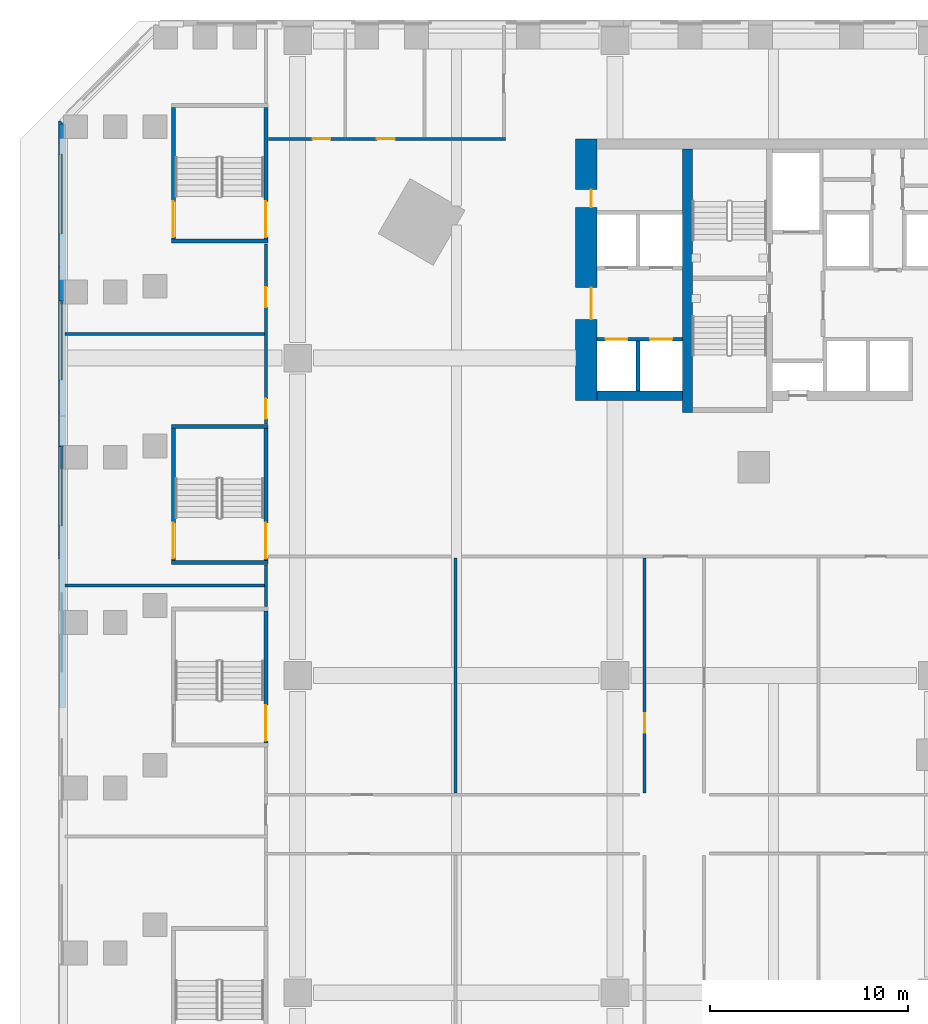
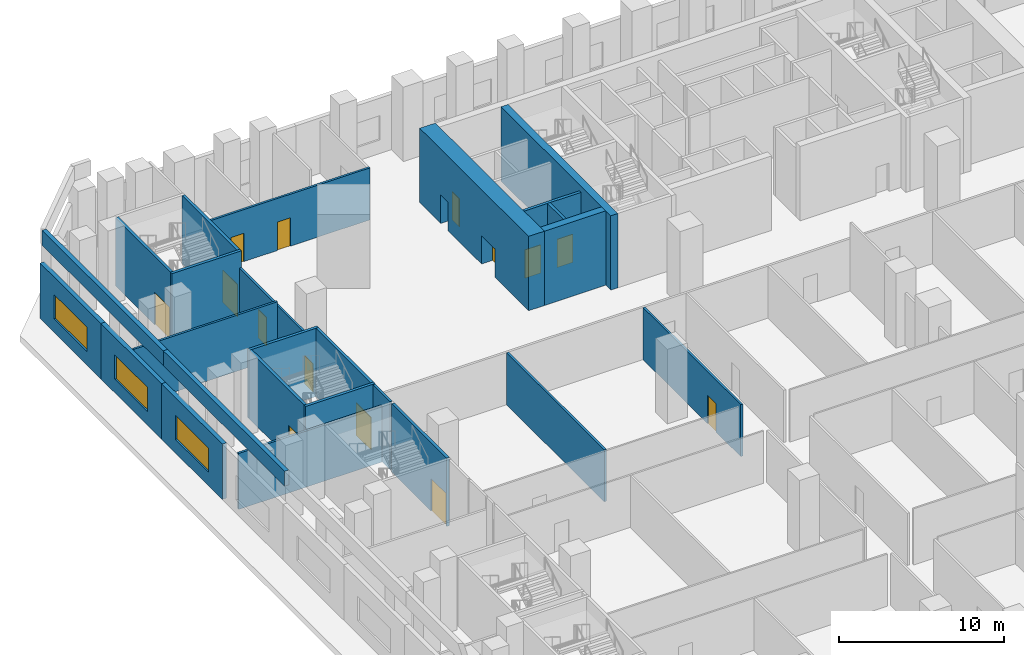
# One storey, part 6 of 22: 25 walls, 14 doors, 3 windows, 17 openings.
"""IFC4 building model written with IfcOpenShell, lengths in metres."""

import ifcopenshell
import ifcopenshell.guid

model = None  # the IFC model being written
_history = None  # IfcOwnerHistory: only IFC2X3 demands one
_inside = {}  # id of a spatial element -> (the spatial element, [elements in it])
_under = {}  # id of a project, library or spatial element -> (it, [spatial elements below it])
_declared = {}  # id of a project -> (the project, [libraries it declares])
_typed = {}  # id of a type object -> (the type object, [elements of that type])
_made_of = {}  # id of a material, layer set ... -> (it, [elements and type objects made of it])


def new_model(schema):
    """Start an empty IFC model of exactly this schema.

    Asked for "IFC4X3", IfcOpenShell would pick the latest addendum, in which some entities
    have other attributes; the version numbers below select the first issue.
    IFC2X3 requires an IfcOwnerHistory on every rooted entity: one is made here for all.
    """
    global model, _history
    if schema == "IFC4X3":
        model = ifcopenshell.file(schema_version=(4, 3, 0, 0))
    else:
        model = ifcopenshell.file(schema=schema)
    _inside.clear()
    _under.clear()
    _declared.clear()
    _typed.clear()
    _made_of.clear()
    _history = None
    if model.schema == "IFC2X3":
        org = make("IfcOrganization", Name="unknown")
        user = make(
            "IfcPersonAndOrganization",
            ThePerson=make("IfcPerson", FamilyName="unknown"),
            TheOrganization=org,
        )
        app = make(
            "IfcApplication",
            ApplicationDeveloper=org,
            Version="unknown",
            ApplicationFullName="unknown",
            ApplicationIdentifier="unknown",
        )
        _history = make(
            "IfcOwnerHistory",
            OwningUser=user,
            OwningApplication=app,
            ChangeAction="ADDED",
            CreationDate=0,
        )
    return model


def make(cls, **values):
    """One entity of the class cls with the attributes given. An attribute that is None is left unset."""
    return model.create_entity(
        cls, **{name: value for name, value in values.items() if value is not None}
    )


def rooted(cls, **values):
    """An entity with a GlobalId (a new one), such as an element, a storey or a relation."""
    return make(cls, GlobalId=ifcopenshell.guid.new(), OwnerHistory=_history, **values)


def si_unit(unit_type, name, prefix=None):
    """IfcSIUnit, for example si_unit("LENGTHUNIT", "METRE", prefix="MILLI")."""
    return make("IfcSIUnit", UnitType=unit_type, Prefix=prefix, Name=name)


def assignment(units):
    """IfcUnitAssignment: the units of a project."""
    return None if units is None else make("IfcUnitAssignment", Units=units)


def point(xyz):
    """IfcCartesianPoint."""
    return None if xyz is None else make("IfcCartesianPoint", Coordinates=xyz)


def direction(xyz):
    """IfcDirection."""
    return None if xyz is None else make("IfcDirection", DirectionRatios=xyz)


def frame(location, z_axis=None, x_axis=None):
    """IfcAxis2Placement3D, a coordinate frame: its origin and axes. An axis left out is left unset."""
    return make(
        "IfcAxis2Placement3D",
        Location=point(location),
        Axis=direction(z_axis),
        RefDirection=direction(x_axis),
    )


def frame_2d(location, x_axis=None):
    """IfcAxis2Placement2D, a coordinate frame in the plane: its origin and x axis."""
    return make(
        "IfcAxis2Placement2D", Location=point(location), RefDirection=direction(x_axis)
    )


def origin():
    """The frame at (0, 0, 0) with its axes left unset."""
    return frame((0.0, 0.0, 0.0))


def place(relative_to, where):
    """IfcLocalPlacement: puts the frame where relative to a parent placement (None: the world)."""
    return make(
        "IfcLocalPlacement", PlacementRelTo=relative_to, RelativePlacement=where
    )


def context(
    kind, dimensions, precision=None, world=None, true_north=None, identifier=None
):
    """IfcGeometricRepresentationContext, for example the 3D "Model" context."""
    return make(
        "IfcGeometricRepresentationContext",
        ContextIdentifier=identifier,
        ContextType=kind,
        CoordinateSpaceDimension=dimensions,
        Precision=precision,
        WorldCoordinateSystem=world,
        TrueNorth=true_north,
    )


def subcontext(parent, identifier, kind, view, scale=None):
    """IfcGeometricRepresentationSubContext, for example "Body" below "Model"."""
    return make(
        "IfcGeometricRepresentationSubContext",
        ContextIdentifier=identifier,
        ContextType=kind,
        ParentContext=parent,
        TargetScale=scale,
        TargetView=view,
    )


def project(units=None, contexts=None):
    """IfcProject with its units and contexts."""
    return rooted(
        "IfcProject",
        Name="project",
        RepresentationContexts=contexts,
        UnitsInContext=assignment(units),
    )


def spatial(cls, under=None, at=None, **own):
    """A site, building, storey or space (cls), placed at a placement, below another one or the project."""
    s = rooted(cls, ObjectPlacement=at, **own)
    if under is not None:
        _under.setdefault(under.id(), (under, []))[1].append(s)
    return s


def profile(cls, at=None, kind="AREA", **sizes):
    """A parametric profile (cls). Its sizes go by their IFC names, for example OverallWidth=200.0."""
    return make(cls, ProfileType=kind, Position=at, **sizes)


def rectangle(**sizes):
    """IfcRectangleProfileDef."""
    return profile("IfcRectangleProfileDef", **sizes)


def extrude(swept, where, along, depth):
    """IfcExtrudedAreaSolid: the profile swept, set in the frame where, extruded along a direction by depth."""
    return make(
        "IfcExtrudedAreaSolid",
        SweptArea=swept,
        Position=where,
        ExtrudedDirection=direction(along),
        Depth=depth,
    )


def shape(context_of_items, identifier, shape_type, items):
    """IfcShapeRepresentation: the items that make up one representation, for example the "Body"."""
    return make(
        "IfcShapeRepresentation",
        ContextOfItems=context_of_items,
        RepresentationIdentifier=identifier,
        RepresentationType=shape_type,
        Items=items,
    )


def material(Name=None, Category=None):
    """IfcMaterial."""
    return make("IfcMaterial", Name=Name, Category=Category)


def layer(
    of_material, thickness, ventilated=None, Name=None, Category=None, Priority=None
):
    """IfcMaterialLayer: one layer of a wall or slab, of a material (None: an air gap)."""
    return make(
        "IfcMaterialLayer",
        Material=of_material,
        LayerThickness=thickness,
        IsVentilated=ventilated,
        Name=Name,
        Category=Category,
        Priority=Priority,
    )


def layer_set(layers, Name=None):
    """IfcMaterialLayerSet."""
    return make("IfcMaterialLayerSet", MaterialLayers=layers, LayerSetName=Name)


def made_of(thing, what):
    """Note that an element or type object is made of a material, layer set ...; save() writes the relation."""
    if what is not None:
        _made_of.setdefault(what.id(), (what, []))[1].append(thing)
    return thing


def type_object(cls, material=None, **own):
    """A type object (cls), such as IfcWallType, which elements share."""
    return made_of(rooted(cls, **own), material)


def element(
    cls,
    number,
    at=None,
    inside=None,
    cuts=None,
    type_object=None,
    material=None,
    context=None,
    identifier="Body",
    shape_type=None,
    held_by="IfcProductDefinitionShape",
    body=None,
    shapes=None,
    **own,
):
    """One element of the class cls, such as IfcWall. Its Tag is "e" and its number.

    at: its placement. inside: the storey or other place that contains it. cuts: it is an
    opening in that element (IfcRelVoidsElement). A single representation is given by context,
    identifier, shape_type and body (its items); several are given by shapes. held_by: the class
    of the entity that holds the representations. save() writes the other relations.
    """
    e = rooted(cls, Tag="e%d" % number, ObjectPlacement=at, **own)
    if body is not None:
        shapes = [shape(context, identifier, shape_type, body)]
    if shapes is not None:
        e.Representation = make(held_by, Representations=shapes)
    if inside is not None:
        _inside.setdefault(inside.id(), (inside, []))[1].append(e)
    if cuts is not None:
        rooted(
            "IfcRelVoidsElement", RelatingBuildingElement=cuts, RelatedOpeningElement=e
        )
    if type_object is not None:
        _typed.setdefault(type_object.id(), (type_object, []))[1].append(e)
    return made_of(e, material)


def fill(opening, filler):
    """IfcRelFillsElement: the door or window that sits in an opening."""
    return rooted(
        "IfcRelFillsElement",
        RelatingOpeningElement=opening,
        RelatedBuildingElement=filler,
    )


def aggregate(whole, parts):
    """IfcRelAggregates: a whole, such as a stair, and the parts it consists of."""
    return rooted("IfcRelAggregates", RelatingObject=whole, RelatedObjects=parts)


def save(model, path):
    """Write the relations noted so far, then the file.

    IfcRelAggregates (storeys below a building ...), IfcRelContainedInSpatialStructure (elements
    in a storey), IfcRelDefinesByType, IfcRelAssociatesMaterial and IfcRelDeclares: one each for
    every whole, place, type object, material and project.
    """
    for whole, parts in _under.values():
        aggregate(whole, parts)
    for where, things in _inside.values():
        rooted(
            "IfcRelContainedInSpatialStructure",
            RelatedElements=things,
            RelatingStructure=where,
        )
    for kind, things in _typed.values():
        rooted("IfcRelDefinesByType", RelatedObjects=things, RelatingType=kind)
    for what, things in _made_of.values():
        rooted("IfcRelAssociatesMaterial", RelatedObjects=things, RelatingMaterial=what)
    for by, libraries in _declared.values():
        rooted("IfcRelDeclares", RelatingContext=by, RelatedDefinitions=libraries)
    model.write(path)


model = new_model("IFC4")

# Units and contexts
model_context = context("Model", 3, precision=1e-05, world=origin(), true_north=direction((0.0, 1.0)))
body_context = subcontext(model_context, "Body", "Model", "MODEL_VIEW")
ifc_project = project(units=[si_unit("LENGTHUNIT", "METRE"), si_unit("AREAUNIT", "SQUARE_METRE"), si_unit("VOLUMEUNIT", "CUBIC_METRE"), si_unit("PLANEANGLEUNIT", "RADIAN"), si_unit("MASSUNIT", "GRAM", prefix="KILO")], contexts=[model_context])

# Site, building, storey
site_placement = place(None, origin())
site = spatial("IfcSite", under=ifc_project, at=site_placement, CompositionType="ELEMENT")
building_placement = place(site_placement, origin())
building = spatial("IfcBuilding", under=site, at=building_placement, Name="Calabash Gate Tower", CompositionType="ELEMENT")
storey_placement = place(building_placement, frame((0.0, 0.0, 29.0)))
storey = spatial("IfcBuildingStorey", under=building, at=storey_placement, Name="L03", CompositionType="ELEMENT", Elevation=29.0)

# Wall, openings, doors
ifc_material_1 = material(Name="Concrete C80/95", Category="concrete")
ifc_layer_1 = layer(ifc_material_1, 1.10009765625)
ifc_layer_set_1 = layer_set([ifc_layer_1], Name="Core wall 1100 Concrete C80/95")
wall_type_1 = type_object("IfcWallType", Name="Core wall 1100 Concrete C80/95", PredefinedType="SHEAR", material=ifc_layer_set_1)
wall_1_placement = place(storey_placement, frame((-17.449951171875, 5.8525390625, 0.0), z_axis=(0.0, 0.0, 1.0), x_axis=(0.0, 1.0, 0.0)))
wall_1 = element("IfcWall", 1, at=wall_1_placement, inside=storey, type_object=wall_type_1, Name="Core wall Z0-ENDW L03", PredefinedType="SHEAR", context=body_context, shape_type="SweptSolid", body=[
    extrude(rectangle(XDim=13.199951171875, YDim=1.10009765625, at=frame_2d((6.60009765625, 0.0))), origin(), (0.0, 0.0, 1.0), 5.5),
])
opening_1_placement = place(wall_1_placement, frame((4.10009765625, 0.0, 0.0)))
opening_1 = element("IfcOpeningElement", 2, at=opening_1_placement, cuts=wall_1, Name="Opening L03-014", PredefinedType="OPENING", context=body_context, shape_type="SweptSolid", body=[
    extrude(rectangle(XDim=1.60009765625, YDim=2.10009765625, at=frame_2d((0.800048828125, 1.050048828125))), frame((0.0, 0.56005859375, 0.0), z_axis=(0.0, -1.0, 0.0), x_axis=(1.0, 0.0, 0.0)), (0.0, 0.0, 1.0), 1.1201171875),
])
opening_2_placement = place(wall_1_placement, frame((9.75, 0.0, 0.0)))
opening_2 = element("IfcOpeningElement", 3, at=opening_2_placement, cuts=wall_1, Name="Opening L03-015", PredefinedType="OPENING", context=body_context, shape_type="SweptSolid", body=[
    extrude(rectangle(XDim=0.89990234375, YDim=2.10009765625, at=frame_2d((0.449951171875, 1.050048828125))), frame((0.0, 0.56005859375, 0.0), z_axis=(0.0, -1.0, 0.0), x_axis=(1.0, 0.0, 0.0)), (0.0, 0.0, 1.0), 1.1201171875),
])
ifc_material_2 = material(Name="Steel fire door set with fire-resisting glazing", Category="steel")
door_type_1 = type_object("IfcDoorType", Name="Double fire door D08 1600x2100 FD60", OperationType="DOUBLE_DOOR_SINGLE_SWING", PredefinedType="DOOR", material=ifc_material_2)
door_1_placement = place(opening_1_placement, origin())
door_1 = element("IfcDoor", 4, at=door_1_placement, inside=storey, type_object=door_type_1, Name="Low-rise Lift Lobby W door", OperationType="DOUBLE_DOOR_SINGLE_SWING", OverallHeight=2.10009765625, OverallWidth=1.60009765625, PredefinedType="DOOR", context=body_context, shape_type="SweptSolid", body=[
    extrude(rectangle(XDim=1.60009765625, YDim=2.10009765625, at=frame_2d((0.800048828125, 1.050048828125))), frame((0.0, -0.22509765625, 0.0), z_axis=(0.0, -1.0, 0.0), x_axis=(1.0, 0.0, 0.0)), (0.0, 0.0, 1.0), 0.050048828125),
])
fill(opening_1, door_1)
ifc_material_3 = material(Name="Steel fire door set with fire-resisting glazing", Category="steel")
door_type_2 = type_object("IfcDoorType", Name="Fire door D06 900x2100 FD60", OperationType="NOTDEFINED", PredefinedType="DOOR", material=ifc_material_3)
door_2_placement = place(opening_2_placement, origin())
door_2 = element("IfcDoor", 5, at=door_2_placement, inside=storey, type_object=door_type_2, Name="Staff WC door", OperationType="SINGLE_SWING_RIGHT", OverallHeight=2.10009765625, OverallWidth=0.89990234375, PredefinedType="DOOR", context=body_context, shape_type="SweptSolid", body=[
    extrude(rectangle(XDim=0.89990234375, YDim=2.10009765625, at=frame_2d((0.449951171875, 1.050048828125))), frame((0.0, -0.22509765625, 0.0), z_axis=(0.0, -1.0, 0.0), x_axis=(1.0, 0.0, 0.0)), (0.0, 0.0, 1.0), 0.050048828125),
])
fill(opening_2, door_2)

# Walls
ifc_material_4 = material(Name="Concrete C80/95", Category="concrete")
ifc_layer_2 = layer(ifc_material_4, 0.5)
ifc_layer_set_2 = layer_set([ifc_layer_2], Name="Core wall 500 Concrete C80/95")
wall_type_2 = type_object("IfcWallType", Name="Core wall 500 Concrete C80/95", PredefinedType="SHEAR", material=ifc_layer_set_2)
wall_2_placement = place(storey_placement, frame((-12.35009765625, 5.252685546875, 0.0), z_axis=(0.0, 0.0, 1.0), x_axis=(0.0, 1.0, 0.0)))
element("IfcWall", 6, at=wall_2_placement, inside=storey, type_object=wall_type_2, Name="Core wall Z0-COLW L03", PredefinedType="SHEAR", context=body_context, shape_type="SweptSolid", body=[
    extrude(rectangle(XDim=13.2998046875, YDim=0.5, at=frame_2d((6.64990234375, 0.0))), origin(), (0.0, 0.0, 1.0), 5.5),
])
wall_3_placement = place(storey_placement, frame((-12.60009765625, 6.1025390625, 0.0), z_axis=(0.0, 0.0, 1.0), x_axis=(-1.0, 0.0, 0.0)))
element("IfcWall", 7, at=wall_3_placement, inside=storey, type_object=wall_type_2, Name="Core wall Z0-SW L03", PredefinedType="SHEAR", context=body_context, shape_type="SweptSolid", body=[
    extrude(rectangle(XDim=4.2998046875, YDim=0.5, at=frame_2d((2.14990234375, 0.0))), origin(), (0.0, 0.0, 1.0), 5.5),
])
ifc_material_5 = material(Name="Gypsum board on steel studs, mineral wool", Category="steel")
ifc_layer_3 = layer(ifc_material_5, 0.14990234375)
ifc_layer_set_3 = layer_set([ifc_layer_3], Name="Partition 150 gypsum board")
wall_type_3 = type_object("IfcWallType", Name="Partition 150 gypsum board", PredefinedType="PARTITIONING", material=ifc_layer_set_3)
wall_4_placement = place(storey_placement, frame((-24.050048828125, -13.925048828125, 0.0), z_axis=(0.0, 0.0, 1.0), x_axis=(0.0, 1.0, 0.0)))
element("IfcWall", 8, at=wall_4_placement, inside=storey, type_object=wall_type_3, Name="Partition", PredefinedType="PARTITIONING", context=body_context, shape_type="SweptSolid", body=[
    extrude(rectangle(XDim=11.85009765625, YDim=0.14990234375, at=frame_2d((5.925048828125, 0.0))), origin(), (0.0, 0.0, 1.0), 3.85009765625),
])

# Wall, opening, door
wall_5_placement = place(storey_placement, frame((-14.5, -13.925048828125, 0.0), z_axis=(0.0, 0.0, 1.0), x_axis=(0.0, 1.0, 0.0)))
wall_5 = element("IfcWall", 9, at=wall_5_placement, inside=storey, type_object=wall_type_3, Name="Partition", PredefinedType="PARTITIONING", context=body_context, shape_type="SweptSolid", body=[
    extrude(rectangle(XDim=11.85009765625, YDim=0.14990234375, at=frame_2d((5.925048828125, 0.0))), origin(), (0.0, 0.0, 1.0), 3.85009765625),
])
opening_3_placement = place(wall_5_placement, frame((3.02490234375, 0.0, 0.0)))
opening_3 = element("IfcOpeningElement", 10, at=opening_3_placement, cuts=wall_5, Name="Opening L03-047", PredefinedType="OPENING", context=body_context, shape_type="SweptSolid", body=[
    extrude(rectangle(XDim=1.0, YDim=2.10009765625, at=frame_2d((0.5, 1.050048828125))), frame((0.0, 0.0849609375, 0.0), z_axis=(0.0, -1.0, 0.0), x_axis=(1.0, 0.0, 0.0)), (0.0, 0.0, 1.0), 0.169921875),
])
ifc_material_6 = material(Name="Steel fire door set with fire-resisting glazing", Category="steel")
door_type_3 = type_object("IfcDoorType", Name="Fire door D11 1000x2100 FD60", OperationType="NOTDEFINED", PredefinedType="DOOR", material=ifc_material_6)
door_3_placement = place(opening_3_placement, origin())
door_3 = element("IfcDoor", 11, at=door_3_placement, inside=storey, type_object=door_type_3, Name="Meeting Room 302 door", OperationType="SINGLE_SWING_LEFT", OverallHeight=2.10009765625, OverallWidth=1.0, PredefinedType="DOOR", context=body_context, shape_type="SweptSolid", body=[
    extrude(rectangle(XDim=1.0, YDim=2.10009765625, at=frame_2d((0.5, 1.050048828125))), frame((0.0, 0.02490234375, 0.0), z_axis=(0.0, -1.0, 0.0), x_axis=(1.0, 0.0, 0.0)), (0.0, 0.0, 1.0), 0.050048828125),
])
fill(opening_3, door_3)

# Walls
wall_6_placement = place(storey_placement, frame((-33.60009765625, -4.510009765625, 0.0), z_axis=(0.0, 0.0, 1.0), x_axis=(0.0, 1.0, 0.0)))
element("IfcWall", 12, at=wall_6_placement, inside=storey, type_object=wall_type_3, Name="Partition", PredefinedType="PARTITIONING", context=body_context, shape_type="SweptSolid", body=[
    extrude(rectangle(XDim=2.070068359375, YDim=0.14990234375, at=frame_2d((1.03515625, 0.0))), origin(), (0.0, 0.0, 1.0), 5.050048828125),
])
wall_7_placement = place(storey_placement, frame((-43.719970703125, -3.47509765625, 0.0), z_axis=(0.0, 0.0, 1.0), x_axis=(1.0, 0.0, 0.0)))
element("IfcWall", 13, at=wall_7_placement, inside=storey, type_object=wall_type_3, Name="Partition", PredefinedType="PARTITIONING", context=body_context, shape_type="SweptSolid", body=[
    extrude(rectangle(XDim=10.044921875, YDim=0.14990234375, at=frame_2d((5.0224609375, 0.0))), origin(), (0.0, 0.0, 1.0), 4.14990234375),
])

# Wall, openings, doors
wall_8_placement = place(storey_placement, frame((-33.60009765625, 4.68994140625, 0.0), z_axis=(0.0, 0.0, 1.0), x_axis=(0.0, 1.0, 0.0)))
wall_8 = element("IfcWall", 14, at=wall_8_placement, inside=storey, type_object=wall_type_3, Name="Partition", PredefinedType="PARTITIONING", context=body_context, shape_type="SweptSolid", body=[
    extrude(rectangle(XDim=9.070068359375, YDim=0.14990234375, at=frame_2d((4.53515625, 0.0))), origin(), (0.0, 0.0, 1.0), 3.85009765625),
])
opening_4_placement = place(wall_8_placement, frame((0.260986328125, 0.0, 0.0)))
opening_4 = element("IfcOpeningElement", 15, at=opening_4_placement, cuts=wall_8, Name="Opening L03-071", PredefinedType="OPENING", context=body_context, shape_type="SweptSolid", body=[
    extrude(rectangle(XDim=1.0, YDim=2.10009765625, at=frame_2d((0.5, 1.050048828125))), frame((0.0, 0.0849609375, 0.0), z_axis=(0.0, -1.0, 0.0), x_axis=(1.0, 0.0, 0.0)), (0.0, 0.0, 1.0), 0.169921875),
])
opening_5_placement = place(wall_8_placement, frame((5.885009765625, 0.0, 0.0)))
opening_5 = element("IfcOpeningElement", 16, at=opening_5_placement, cuts=wall_8, Name="Opening L03-072", PredefinedType="OPENING", context=body_context, shape_type="SweptSolid", body=[
    extrude(rectangle(XDim=1.0, YDim=2.10009765625, at=frame_2d((0.5, 1.050048828125))), frame((0.0, 0.0849609375, 0.0), z_axis=(0.0, -1.0, 0.0), x_axis=(1.0, 0.0, 0.0)), (0.0, 0.0, 1.0), 0.169921875),
])
door_4_placement = place(opening_4_placement, origin())
door_4 = element("IfcDoor", 17, at=door_4_placement, inside=storey, type_object=door_type_3, Name="Interpreters' Room door", OperationType="SINGLE_SWING_LEFT", OverallHeight=2.10009765625, OverallWidth=1.0, PredefinedType="DOOR", context=body_context, shape_type="SweptSolid", body=[
    extrude(rectangle(XDim=1.0, YDim=2.10009765625, at=frame_2d((0.5, 1.050048828125))), frame((0.0, 0.02490234375, 0.0), z_axis=(0.0, -1.0, 0.0), x_axis=(1.0, 0.0, 0.0)), (0.0, 0.0, 1.0), 0.050048828125),
])
fill(opening_4, door_4)
door_5_placement = place(opening_5_placement, origin())
door_5 = element("IfcDoor", 18, at=door_5_placement, inside=storey, type_object=door_type_3, Name="Meeting Room 323 door", OperationType="SINGLE_SWING_LEFT", OverallHeight=2.10009765625, OverallWidth=1.0, PredefinedType="DOOR", context=body_context, shape_type="SweptSolid", body=[
    extrude(rectangle(XDim=1.0, YDim=2.10009765625, at=frame_2d((0.5, 1.050048828125))), frame((0.0, 0.02490234375, 0.0), z_axis=(0.0, -1.0, 0.0), x_axis=(1.0, 0.0, 0.0)), (0.0, 0.0, 1.0), 0.050048828125),
])
fill(opening_5, door_5)

# Wall
wall_9_placement = place(storey_placement, frame((-43.719970703125, 9.22509765625, 0.0), z_axis=(0.0, 0.0, 1.0), x_axis=(1.0, 0.0, 0.0)))
element("IfcWall", 19, at=wall_9_placement, inside=storey, type_object=wall_type_3, Name="Partition", PredefinedType="PARTITIONING", context=body_context, shape_type="SweptSolid", body=[
    extrude(rectangle(XDim=10.044921875, YDim=0.14990234375, at=frame_2d((5.0224609375, 0.0))), origin(), (0.0, 0.0, 1.0), 4.14990234375),
])

# Wall, openings, doors
wall_10_placement = place(storey_placement, frame((-33.4599609375, 19.050048828125, 0.0), z_axis=(0.0, 0.0, 1.0), x_axis=(1.0, 0.0, 0.0)))
wall_10 = element("IfcWall", 20, at=wall_10_placement, inside=storey, type_object=wall_type_3, Name="Partition", PredefinedType="PARTITIONING", context=body_context, shape_type="SweptSolid", body=[
    extrude(rectangle(XDim=11.93505859375, YDim=0.14990234375, at=frame_2d((5.967529296875, 0.0))), origin(), (0.0, 0.0, 1.0), 3.85009765625),
])
opening_6_placement = place(wall_10_placement, frame((2.2109375, 0.0, 0.0)))
opening_6 = element("IfcOpeningElement", 21, at=opening_6_placement, cuts=wall_10, Name="Opening L03-038", PredefinedType="OPENING", context=body_context, shape_type="SweptSolid", body=[
    extrude(rectangle(XDim=0.89990234375, YDim=2.10009765625, at=frame_2d((0.449951171875, 1.050048828125))), frame((0.0, 0.0849609375, 0.0), z_axis=(0.0, -1.0, 0.0), x_axis=(1.0, 0.0, 0.0)), (0.0, 0.0, 1.0), 0.169921875),
])
opening_7_placement = place(wall_10_placement, frame((5.4599609375, 0.0, 0.0)))
opening_7 = element("IfcOpeningElement", 22, at=opening_7_placement, cuts=wall_10, Name="Opening L03-039", PredefinedType="OPENING", context=body_context, shape_type="SweptSolid", body=[
    extrude(rectangle(XDim=0.89990234375, YDim=2.10009765625, at=frame_2d((0.449951171875, 1.050048828125))), frame((0.0, 0.0849609375, 0.0), z_axis=(0.0, -1.0, 0.0), x_axis=(1.0, 0.0, 0.0)), (0.0, 0.0, 1.0), 0.169921875),
])
ifc_material_7 = material(Name="Steel fire door set with fire-resisting glazing", Category="steel")
door_type_4 = type_object("IfcDoorType", Name="Fire door D13 900x2100 FD30", OperationType="NOTDEFINED", PredefinedType="DOOR", material=ifc_material_7)
door_6_placement = place(opening_6_placement, origin())
door_6 = element("IfcDoor", 23, at=door_6_placement, inside=storey, type_object=door_type_4, Name="Men's WC door", OperationType="SINGLE_SWING_LEFT", OverallHeight=2.10009765625, OverallWidth=0.89990234375, PredefinedType="DOOR", context=body_context, shape_type="SweptSolid", body=[
    extrude(rectangle(XDim=0.89990234375, YDim=2.10009765625, at=frame_2d((0.449951171875, 1.050048828125))), frame((0.0, 0.02490234375, 0.0), z_axis=(0.0, -1.0, 0.0), x_axis=(1.0, 0.0, 0.0)), (0.0, 0.0, 1.0), 0.050048828125),
])
fill(opening_6, door_6)
door_7_placement = place(opening_7_placement, origin())
door_7 = element("IfcDoor", 24, at=door_7_placement, inside=storey, type_object=door_type_4, Name="Women's WC door", OperationType="SINGLE_SWING_LEFT", OverallHeight=2.10009765625, OverallWidth=0.89990234375, PredefinedType="DOOR", context=body_context, shape_type="SweptSolid", body=[
    extrude(rectangle(XDim=0.89990234375, YDim=2.10009765625, at=frame_2d((0.449951171875, 1.050048828125))), frame((0.0, 0.02490234375, 0.0), z_axis=(0.0, -1.0, 0.0), x_axis=(1.0, 0.0, 0.0)), (0.0, 0.0, 1.0), 0.050048828125),
])
fill(opening_7, door_7)

# Wall, opening, window
ifc_material_8 = material(Name="Terracotta brick masonry, exposed face", Category="masonry")
ifc_layer_4 = layer(ifc_material_8, 0.300048828125)
ifc_layer_set_4 = layer_set([ifc_layer_4], Name="Podium brick wall 300")
wall_type_4 = type_object("IfcWallType", Name="Podium brick wall 300", PredefinedType="SOLIDWALL", material=ifc_layer_set_4)
wall_11_placement = place(storey_placement, frame((-43.89990234375, 19.949951171875, 0.0), z_axis=(0.0, 0.0, 1.0), x_axis=(0.0, -1.0, 0.0)))
wall_11 = element("IfcWall", 25, at=wall_11_placement, inside=storey, type_object=wall_type_4, Name="Podium brick wall L03 6.0.0", PredefinedType="SOLIDWALL", context=body_context, shape_type="SweptSolid", body=[
    extrude(rectangle(XDim=7.362548828125, YDim=0.300048828125, at=frame_2d((3.68115234375, 0.0))), origin(), (0.0, 0.0, 1.0), 4.10009765625),
])
opening_8_placement = place(wall_11_placement, frame((1.68115234375, 0.0, 1.0)))
opening_8 = element("IfcOpeningElement", 26, at=opening_8_placement, cuts=wall_11, Name="Opening WM1", PredefinedType="OPENING", context=body_context, shape_type="SweptSolid", body=[
    extrude(rectangle(XDim=4.0, YDim=1.800048828125, at=frame_2d((2.0, 0.89990234375))), frame((0.0, 0.159912109375, 0.0), z_axis=(0.0, -1.0, 0.0), x_axis=(1.0, 0.0, 0.0)), (0.0, 0.0, 1.0), 0.320068359375),
])
ifc_material_9 = material(Name="Anodised aluminium frame, bronze finish, impact-rated laminated clear glazing", Category="aluminium")
window_type = type_object("IfcWindowType", Name="Window WM1 4000x1800", PartitioningType="TRIPLE_PANEL_VERTICAL", PredefinedType="WINDOW", material=ifc_material_9)
window_1_placement = place(opening_8_placement, origin())
window_1 = element("IfcWindow", 27, at=window_1_placement, inside=storey, type_object=window_type, Name="Meeting room window L03 6.0.0", OverallHeight=1.800048828125, OverallWidth=4.0, PartitioningType="SINGLE_PANEL", PredefinedType="WINDOW", context=body_context, shape_type="SweptSolid", body=[
    extrude(rectangle(XDim=4.0, YDim=1.800048828125, at=frame_2d((2.0, 0.89990234375))), frame((0.0, 0.030029296875, 0.0), z_axis=(0.0, -1.0, 0.0), x_axis=(1.0, 0.0, 0.0)), (0.0, 0.0, 1.0), 0.06005859375),
])
fill(opening_8, window_1)

wall_12_placement = place(storey_placement, frame((-43.89990234375, 12.58740234375, 0.0), z_axis=(0.0, 0.0, 1.0), x_axis=(0.0, -1.0, 0.0)))
wall_12 = element("IfcWall", 28, at=wall_12_placement, inside=storey, type_object=wall_type_4, Name="Podium brick wall L03 6.0.1", PredefinedType="SOLIDWALL", context=body_context, shape_type="SweptSolid", body=[
    extrude(rectangle(XDim=7.3623046875, YDim=0.300048828125, at=frame_2d((3.68115234375, 0.0))), origin(), (0.0, 0.0, 1.0), 4.10009765625),
])
opening_9_placement = place(wall_12_placement, frame((1.68115234375, 0.0, 1.0)))
opening_9 = element("IfcOpeningElement", 29, at=opening_9_placement, cuts=wall_12, Name="Opening WM1", PredefinedType="OPENING", context=body_context, shape_type="SweptSolid", body=[
    extrude(rectangle(XDim=4.0, YDim=1.800048828125, at=frame_2d((2.0, 0.89990234375))), frame((0.0, 0.159912109375, 0.0), z_axis=(0.0, -1.0, 0.0), x_axis=(1.0, 0.0, 0.0)), (0.0, 0.0, 1.0), 0.320068359375),
])
window_2_placement = place(opening_9_placement, origin())
window_2 = element("IfcWindow", 30, at=window_2_placement, inside=storey, type_object=window_type, Name="Meeting room window L03 6.0.1", OverallHeight=1.800048828125, OverallWidth=4.0, PartitioningType="SINGLE_PANEL", PredefinedType="WINDOW", context=body_context, shape_type="SweptSolid", body=[
    extrude(rectangle(XDim=4.0, YDim=1.800048828125, at=frame_2d((2.0, 0.89990234375))), frame((0.0, 0.030029296875, 0.0), z_axis=(0.0, -1.0, 0.0), x_axis=(1.0, 0.0, 0.0)), (0.0, 0.0, 1.0), 0.06005859375),
])
fill(opening_9, window_2)

wall_13_placement = place(storey_placement, frame((-43.89990234375, 5.22509765625, 0.0), z_axis=(0.0, 0.0, 1.0), x_axis=(0.0, -1.0, 0.0)))
wall_13 = element("IfcWall", 31, at=wall_13_placement, inside=storey, type_object=wall_type_4, Name="Podium brick wall L03 6.0.2", PredefinedType="SOLIDWALL", context=body_context, shape_type="SweptSolid", body=[
    extrude(rectangle(XDim=7.362548828125, YDim=0.300048828125, at=frame_2d((3.68115234375, 0.0))), origin(), (0.0, 0.0, 1.0), 4.10009765625),
])
opening_10_placement = place(wall_13_placement, frame((1.68115234375, 0.0, 1.0)))
opening_10 = element("IfcOpeningElement", 32, at=opening_10_placement, cuts=wall_13, Name="Opening WM1", PredefinedType="OPENING", context=body_context, shape_type="SweptSolid", body=[
    extrude(rectangle(XDim=4.0, YDim=1.800048828125, at=frame_2d((2.0, 0.89990234375))), frame((0.0, 0.159912109375, 0.0), z_axis=(0.0, -1.0, 0.0), x_axis=(1.0, 0.0, 0.0)), (0.0, 0.0, 1.0), 0.320068359375),
])
window_3_placement = place(opening_10_placement, origin())
window_3 = element("IfcWindow", 33, at=window_3_placement, inside=storey, type_object=window_type, Name="Meeting room window L03 6.0.2", OverallHeight=1.800048828125, OverallWidth=4.0, PartitioningType="SINGLE_PANEL", PredefinedType="WINDOW", context=body_context, shape_type="SweptSolid", body=[
    extrude(rectangle(XDim=4.0, YDim=1.800048828125, at=frame_2d((2.0, 0.89990234375))), frame((0.0, 0.030029296875, 0.0), z_axis=(0.0, -1.0, 0.0), x_axis=(1.0, 0.0, 0.0)), (0.0, 0.0, 1.0), 0.06005859375),
])
fill(opening_10, window_3)

# Walls
ifc_material_10 = material(Name="Terracotta brick masonry, exposed face", Category="masonry")
ifc_layer_5 = layer(ifc_material_10, 0.300048828125)
ifc_layer_set_5 = layer_set([ifc_layer_5], Name="Podium parapet wall 300")
wall_type_5 = type_object("IfcWallType", Name="Podium parapet wall 300", PredefinedType="PARAPET", material=ifc_layer_set_5)
for number, where, z_axis, x_axis, name in (
    (34, (-43.85009765625, 19.7900390625, 5.5), (0.0, 0.0, 1.0), (0.0, -1.0, 0.0), "Podium parapet L03 6.0.0"),
    (35, (-43.85009765625, 5.092529296875, 5.5), (0.0, 0.0, 1.0), (0.0, -1.0, 0.0), "Podium parapet L03 6.0.1"),
):
    element("IfcWall", number, at=place(storey_placement, frame(where, z_axis=z_axis, x_axis=x_axis)), inside=storey, type_object=wall_type_5, Name=name, PredefinedType="PARAPET", context=body_context, shape_type="SweptSolid", body=[
        extrude(rectangle(XDim=14.697509765625, YDim=0.300048828125, at=frame_2d((7.3486328125, 0.0))), origin(), (0.0, 0.0, 1.0), 1.10009765625),
    ])
ifc_material_11 = material(Name="Concrete C40/50", Category="concrete")
ifc_layer_6 = layer(ifc_material_11, 0.199951171875)
ifc_layer_set_6 = layer_set([ifc_layer_6], Name="Shaft wall 200 Concrete C40/50")
wall_type_6 = type_object("IfcWallType", Name="Shaft wall 200 Concrete C40/50", PredefinedType="SOLIDWALL", material=ifc_layer_set_6)
wall_14_placement = place(storey_placement, frame((-14.85009765625, 6.3525390625, 0.0), z_axis=(0.0, 0.0, 1.0), x_axis=(0.0, 1.0, 0.0)))
element("IfcWall", 36, at=wall_14_placement, inside=storey, type_object=wall_type_6, Name="Shaft wall", PredefinedType="SOLIDWALL", context=body_context, shape_type="SweptSolid", body=[
    extrude(rectangle(XDim=2.5, YDim=0.199951171875, at=frame_2d((1.25, 0.0))), origin(), (0.0, 0.0, 1.0), 5.050048828125),
])

# Wall, openings, doors
wall_15_placement = place(storey_placement, frame((-16.89990234375, 8.95263671875, 0.0), z_axis=(0.0, 0.0, 1.0), x_axis=(1.0, 0.0, 0.0)))
wall_15 = element("IfcWall", 37, at=wall_15_placement, inside=storey, type_object=wall_type_6, Name="Shaft wall", PredefinedType="SOLIDWALL", context=body_context, shape_type="SweptSolid", body=[
    extrude(rectangle(XDim=4.2998046875, YDim=0.199951171875, at=frame_2d((2.14990234375, 0.0))), origin(), (0.0, 0.0, 1.0), 5.050048828125),
])
opening_11_placement = place(wall_15_placement, frame((2.675048828125, 0.0, 0.0)))
opening_11 = element("IfcOpeningElement", 38, at=opening_11_placement, cuts=wall_15, Name="Opening LD-LR1", PredefinedType="OPENING", context=body_context, shape_type="SweptSolid", body=[
    extrude(rectangle(XDim=1.10009765625, YDim=2.10009765625, at=frame_2d((0.550048828125, 1.050048828125))), frame((0.0, 0.10986328125, 0.0), z_axis=(0.0, -1.0, 0.0), x_axis=(1.0, 0.0, 0.0)), (0.0, 0.0, 1.0), 0.219970703125),
])
opening_12_placement = place(wall_15_placement, frame((0.425048828125, 0.0, 0.0)))
opening_12 = element("IfcOpeningElement", 39, at=opening_12_placement, cuts=wall_15, Name="Opening LD-LR2", PredefinedType="OPENING", context=body_context, shape_type="SweptSolid", body=[
    extrude(rectangle(XDim=1.10009765625, YDim=2.10009765625, at=frame_2d((0.550048828125, 1.050048828125))), frame((0.0, 0.10986328125, 0.0), z_axis=(0.0, -1.0, 0.0), x_axis=(1.0, 0.0, 0.0)), (0.0, 0.0, 1.0), 0.219970703125),
])
ifc_material_12 = material(Name="Stainless steel sliding door leaves", Category="steel")
door_type_5 = type_object("IfcDoorType", Name="Lift landing door LS1 1100x2100 FD90", OperationType="DOUBLE_DOOR_SLIDING", PredefinedType="DOOR", material=ifc_material_12)
door_8_placement = place(opening_11_placement, origin())
door_8 = element("IfcDoor", 40, at=door_8_placement, inside=storey, type_object=door_type_5, Name="Lift landing door LR1", OperationType="DOUBLE_DOOR_SLIDING", OverallHeight=2.10009765625, OverallWidth=1.10009765625, PredefinedType="DOOR", context=body_context, shape_type="SweptSolid", body=[
    extrude(rectangle(XDim=1.10009765625, YDim=2.10009765625, at=frame_2d((0.550048828125, 1.050048828125))), frame((0.0, 0.02490234375, 0.0), z_axis=(0.0, -1.0, 0.0), x_axis=(1.0, 0.0, 0.0)), (0.0, 0.0, 1.0), 0.050048828125),
])
fill(opening_11, door_8)
door_9_placement = place(opening_12_placement, origin())
door_9 = element("IfcDoor", 41, at=door_9_placement, inside=storey, type_object=door_type_5, Name="Lift landing door LR2", OperationType="DOUBLE_DOOR_SLIDING", OverallHeight=2.10009765625, OverallWidth=1.10009765625, PredefinedType="DOOR", context=body_context, shape_type="SweptSolid", body=[
    extrude(rectangle(XDim=1.10009765625, YDim=2.10009765625, at=frame_2d((0.550048828125, 1.050048828125))), frame((0.0, 0.02490234375, 0.0), z_axis=(0.0, -1.0, 0.0), x_axis=(1.0, 0.0, 0.0)), (0.0, 0.0, 1.0), 0.050048828125),
])
fill(opening_12, door_9)

# Wall, opening, door
ifc_material_13 = material(Name="Concrete C40/50", Category="concrete")
ifc_layer_7 = layer(ifc_material_13, 0.199951171875)
ifc_layer_set_7 = layer_set([ifc_layer_7], Name="Stair wall 200 Concrete C40/50")
wall_type_7 = type_object("IfcWallType", Name="Stair wall 200 Concrete C40/50", PredefinedType="SOLIDWALL", material=ifc_layer_set_7)
wall_16_placement = place(storey_placement, frame((-33.60009765625, -11.39990234375, 0.0), z_axis=(0.0, 0.0, 1.0), x_axis=(0.0, 1.0, 0.0)))
wall_16 = element("IfcWall", 42, at=wall_16_placement, inside=storey, type_object=wall_type_7, Name="Stair wall", PredefinedType="SOLIDWALL", context=body_context, shape_type="SweptSolid", body=[
    extrude(rectangle(XDim=6.64990234375, YDim=0.199951171875, at=frame_2d((3.324951171875, 0.0))), origin(), (0.0, 0.0, 1.0), 5.050048828125),
])
opening_13_placement = place(wall_16_placement, frame((0.10009765625, 0.0, 0.0)))
opening_13 = element("IfcOpeningElement", 43, at=opening_13_placement, cuts=wall_16, Name="Opening L03-022", PredefinedType="OPENING", context=body_context, shape_type="SweptSolid", body=[
    extrude(rectangle(XDim=1.800048828125, YDim=2.39990234375, at=frame_2d((0.89990234375, 1.199951171875))), frame((0.0, 0.10986328125, 0.0), z_axis=(0.0, -1.0, 0.0), x_axis=(1.0, 0.0, 0.0)), (0.0, 0.0, 1.0), 0.219970703125),
])
ifc_material_14 = material(Name="Steel fire door set with fire-resisting glazing", Category="steel")
door_type_6 = type_object("IfcDoorType", Name="Double fire door D16 1800x2400 FD90", OperationType="DOUBLE_DOOR_SINGLE_SWING", PredefinedType="DOOR", material=ifc_material_14)
door_10_placement = place(opening_13_placement, origin())
door_10 = element("IfcDoor", 44, at=door_10_placement, inside=storey, type_object=door_type_6, Name="Exit stair door PS3", OperationType="DOUBLE_DOOR_SINGLE_SWING", OverallHeight=2.39990234375, OverallWidth=1.800048828125, PredefinedType="DOOR", context=body_context, shape_type="SweptSolid", body=[
    extrude(rectangle(XDim=1.800048828125, YDim=2.39990234375, at=frame_2d((0.89990234375, 1.199951171875))), frame((0.0, 0.02490234375, 0.0), z_axis=(0.0, -1.0, 0.0), x_axis=(1.0, 0.0, 0.0)), (0.0, 0.0, 1.0), 0.050048828125),
])
fill(opening_13, door_10)

# Walls
for number, where, z_axis, x_axis, name in (
    (45, (-38.3701171875, -2.300048828125, 0.0), (0.0, 0.0, 1.0), (1.0, 0.0, 0.0), "Stair wall"),
    (46, (-38.3701171875, 4.550048828125, 0.0), (0.0, 0.0, 1.0), (1.0, 0.0, 0.0), "Stair wall"),
):
    element("IfcWall", number, at=place(storey_placement, frame(where, z_axis=z_axis, x_axis=x_axis)), inside=storey, type_object=wall_type_7, Name=name, PredefinedType="SOLIDWALL", context=body_context, shape_type="SweptSolid", body=[
        extrude(rectangle(XDim=4.8701171875, YDim=0.199951171875, at=frame_2d((2.43505859375, 0.0))), origin(), (0.0, 0.0, 1.0), 5.050048828125),
    ])

# Wall, opening, door
wall_17_placement = place(storey_placement, frame((-38.27001953125, -2.199951171875, 0.0), z_axis=(0.0, 0.0, 1.0), x_axis=(0.0, 1.0, 0.0)))
wall_17 = element("IfcWall", 47, at=wall_17_placement, inside=storey, type_object=wall_type_7, Name="Stair wall", PredefinedType="SOLIDWALL", context=body_context, shape_type="SweptSolid", body=[
    extrude(rectangle(XDim=6.64990234375, YDim=0.199951171875, at=frame_2d((3.324951171875, 0.0))), origin(), (0.0, 0.0, 1.0), 5.050048828125),
])
opening_14_placement = place(wall_17_placement, frame((0.10009765625, 0.0, 0.0)))
opening_14 = element("IfcOpeningElement", 48, at=opening_14_placement, cuts=wall_17, Name="Opening L03-025", PredefinedType="OPENING", context=body_context, shape_type="SweptSolid", body=[
    extrude(rectangle(XDim=1.800048828125, YDim=2.39990234375, at=frame_2d((0.89990234375, 1.199951171875))), frame((0.0, 0.10986328125, 0.0), z_axis=(0.0, -1.0, 0.0), x_axis=(1.0, 0.0, 0.0)), (0.0, 0.0, 1.0), 0.219970703125),
])
door_11_placement = place(opening_14_placement, origin())
door_11 = element("IfcDoor", 49, at=door_11_placement, inside=storey, type_object=door_type_6, Name="Exit stair door PS4", OperationType="DOUBLE_DOOR_SINGLE_SWING", OverallHeight=2.39990234375, OverallWidth=1.800048828125, PredefinedType="DOOR", context=body_context, shape_type="SweptSolid", body=[
    extrude(rectangle(XDim=1.800048828125, YDim=2.39990234375, at=frame_2d((0.89990234375, 1.199951171875))), frame((0.0, 0.02490234375, 0.0), z_axis=(0.0, -1.0, 0.0), x_axis=(1.0, 0.0, 0.0)), (0.0, 0.0, 1.0), 0.050048828125),
])
fill(opening_14, door_11)

wall_18_placement = place(storey_placement, frame((-33.60009765625, -2.199951171875, 0.0), z_axis=(0.0, 0.0, 1.0), x_axis=(0.0, 1.0, 0.0)))
wall_18 = element("IfcWall", 50, at=wall_18_placement, inside=storey, type_object=wall_type_7, Name="Stair wall", PredefinedType="SOLIDWALL", context=body_context, shape_type="SweptSolid", body=[
    extrude(rectangle(XDim=6.64990234375, YDim=0.199951171875, at=frame_2d((3.324951171875, 0.0))), origin(), (0.0, 0.0, 1.0), 5.050048828125),
])
opening_15_placement = place(wall_18_placement, frame((0.10009765625, 0.0, 0.0)))
opening_15 = element("IfcOpeningElement", 51, at=opening_15_placement, cuts=wall_18, Name="Opening L03-024", PredefinedType="OPENING", context=body_context, shape_type="SweptSolid", body=[
    extrude(rectangle(XDim=1.800048828125, YDim=2.39990234375, at=frame_2d((0.89990234375, 1.199951171875))), frame((0.0, 0.10986328125, 0.0), z_axis=(0.0, -1.0, 0.0), x_axis=(1.0, 0.0, 0.0)), (0.0, 0.0, 1.0), 0.219970703125),
])
door_12_placement = place(opening_15_placement, origin())
door_12 = element("IfcDoor", 52, at=door_12_placement, inside=storey, type_object=door_type_6, Name="Exit stair door PS4", OperationType="DOUBLE_DOOR_SINGLE_SWING", OverallHeight=2.39990234375, OverallWidth=1.800048828125, PredefinedType="DOOR", context=body_context, shape_type="SweptSolid", body=[
    extrude(rectangle(XDim=1.800048828125, YDim=2.39990234375, at=frame_2d((0.89990234375, 1.199951171875))), frame((0.0, 0.02490234375, 0.0), z_axis=(0.0, -1.0, 0.0), x_axis=(1.0, 0.0, 0.0)), (0.0, 0.0, 1.0), 0.050048828125),
])
fill(opening_15, door_12)

# Wall
wall_19_placement = place(storey_placement, frame((-38.3701171875, 13.89990234375, 0.0), z_axis=(0.0, 0.0, 1.0), x_axis=(1.0, 0.0, 0.0)))
element("IfcWall", 53, at=wall_19_placement, inside=storey, type_object=wall_type_7, Name="Stair wall", PredefinedType="SOLIDWALL", context=body_context, shape_type="SweptSolid", body=[
    extrude(rectangle(XDim=4.8701171875, YDim=0.199951171875, at=frame_2d((2.43505859375, 0.0))), origin(), (0.0, 0.0, 1.0), 5.050048828125),
])

# Wall, opening, door
wall_20_placement = place(storey_placement, frame((-38.27001953125, 14.0, 0.0), z_axis=(0.0, 0.0, 1.0), x_axis=(0.0, 1.0, 0.0)))
wall_20 = element("IfcWall", 54, at=wall_20_placement, inside=storey, type_object=wall_type_7, Name="Stair wall", PredefinedType="SOLIDWALL", context=body_context, shape_type="SweptSolid", body=[
    extrude(rectangle(XDim=6.64990234375, YDim=0.199951171875, at=frame_2d((3.324951171875, 0.0))), origin(), (0.0, 0.0, 1.0), 5.050048828125),
])
opening_16_placement = place(wall_20_placement, frame((0.10009765625, 0.0, 0.0)))
opening_16 = element("IfcOpeningElement", 55, at=opening_16_placement, cuts=wall_20, Name="Opening L03-027", PredefinedType="OPENING", context=body_context, shape_type="SweptSolid", body=[
    extrude(rectangle(XDim=1.800048828125, YDim=2.39990234375, at=frame_2d((0.89990234375, 1.199951171875))), frame((0.0, 0.10986328125, 0.0), z_axis=(0.0, -1.0, 0.0), x_axis=(1.0, 0.0, 0.0)), (0.0, 0.0, 1.0), 0.219970703125),
])
door_13_placement = place(opening_16_placement, origin())
door_13 = element("IfcDoor", 56, at=door_13_placement, inside=storey, type_object=door_type_6, Name="Exit stair door PS5", OperationType="DOUBLE_DOOR_SINGLE_SWING", OverallHeight=2.39990234375, OverallWidth=1.800048828125, PredefinedType="DOOR", context=body_context, shape_type="SweptSolid", body=[
    extrude(rectangle(XDim=1.800048828125, YDim=2.39990234375, at=frame_2d((0.89990234375, 1.199951171875))), frame((0.0, 0.02490234375, 0.0), z_axis=(0.0, -1.0, 0.0), x_axis=(1.0, 0.0, 0.0)), (0.0, 0.0, 1.0), 0.050048828125),
])
fill(opening_16, door_13)

wall_21_placement = place(storey_placement, frame((-33.60009765625, 14.0, 0.0), z_axis=(0.0, 0.0, 1.0), x_axis=(0.0, 1.0, 0.0)))
wall_21 = element("IfcWall", 57, at=wall_21_placement, inside=storey, type_object=wall_type_7, Name="Stair wall", PredefinedType="SOLIDWALL", context=body_context, shape_type="SweptSolid", body=[
    extrude(rectangle(XDim=6.64990234375, YDim=0.199951171875, at=frame_2d((3.324951171875, 0.0))), origin(), (0.0, 0.0, 1.0), 5.050048828125),
])
opening_17_placement = place(wall_21_placement, frame((0.10009765625, 0.0, 0.0)))
opening_17 = element("IfcOpeningElement", 58, at=opening_17_placement, cuts=wall_21, Name="Opening L03-026", PredefinedType="OPENING", context=body_context, shape_type="SweptSolid", body=[
    extrude(rectangle(XDim=1.800048828125, YDim=2.39990234375, at=frame_2d((0.89990234375, 1.199951171875))), frame((0.0, 0.10986328125, 0.0), z_axis=(0.0, -1.0, 0.0), x_axis=(1.0, 0.0, 0.0)), (0.0, 0.0, 1.0), 0.219970703125),
])
door_14_placement = place(opening_17_placement, origin())
door_14 = element("IfcDoor", 59, at=door_14_placement, inside=storey, type_object=door_type_6, Name="Exit stair door PS5", OperationType="DOUBLE_DOOR_SINGLE_SWING", OverallHeight=2.39990234375, OverallWidth=1.800048828125, PredefinedType="DOOR", context=body_context, shape_type="SweptSolid", body=[
    extrude(rectangle(XDim=1.800048828125, YDim=2.39990234375, at=frame_2d((0.89990234375, 1.199951171875))), frame((0.0, 0.02490234375, 0.0), z_axis=(0.0, -1.0, 0.0), x_axis=(1.0, 0.0, 0.0)), (0.0, 0.0, 1.0), 0.050048828125),
])
fill(opening_17, door_14)

save(model, "model.ifc")
